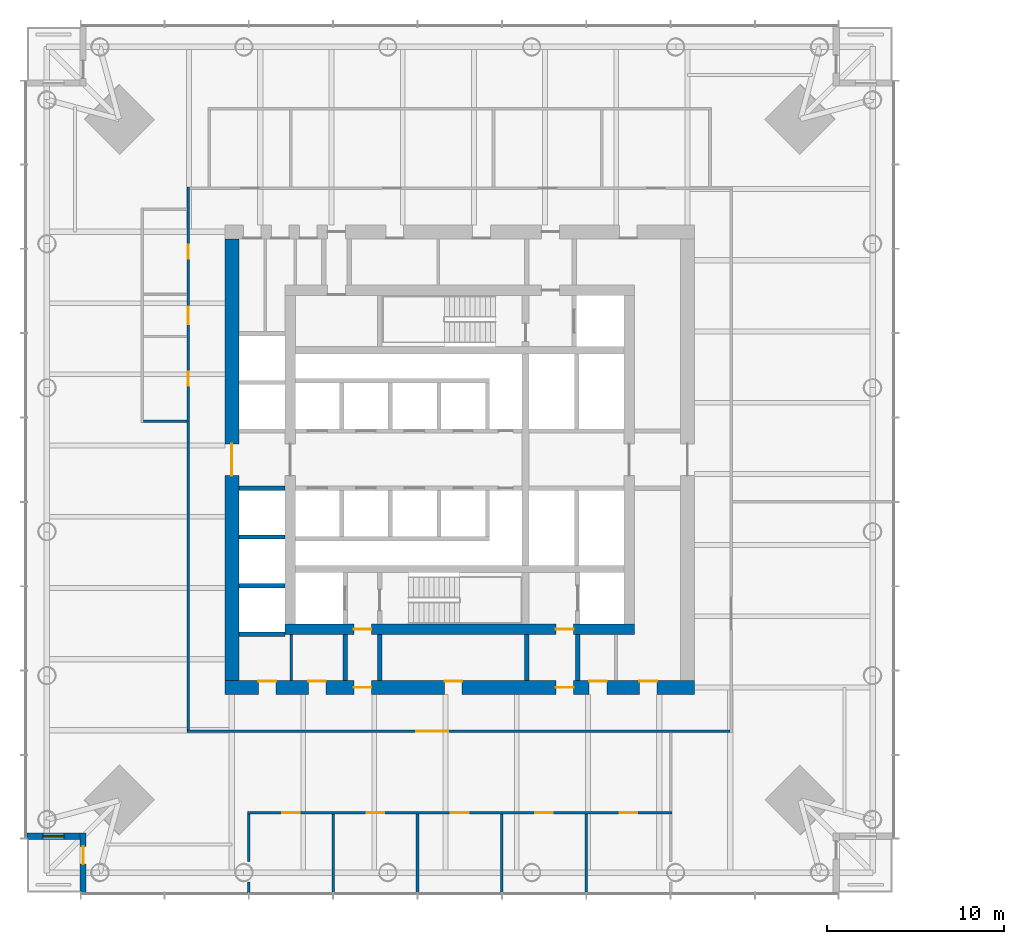
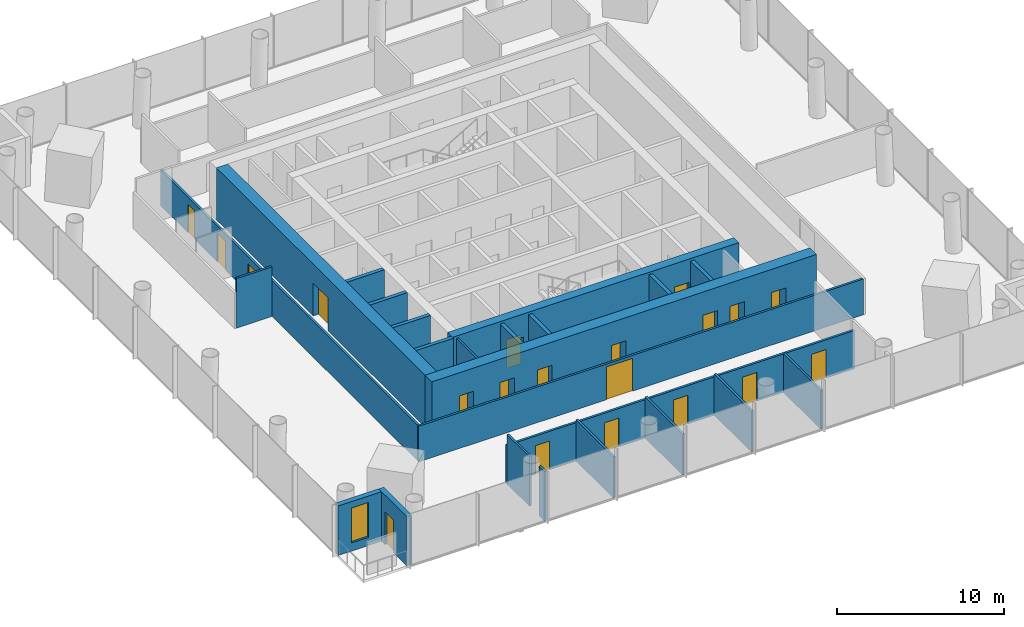
# One storey, part 10 of 22: 24 walls, 20 doors, 1 window, 21 openings.
"""IFC4 building model written with IfcOpenShell, lengths in metres."""

import ifcopenshell
import ifcopenshell.guid

model = None  # the IFC model being written
_history = None  # IfcOwnerHistory: only IFC2X3 demands one
_inside = {}  # id of a spatial element -> (the spatial element, [elements in it])
_under = {}  # id of a project, library or spatial element -> (it, [spatial elements below it])
_declared = {}  # id of a project -> (the project, [libraries it declares])
_typed = {}  # id of a type object -> (the type object, [elements of that type])
_made_of = {}  # id of a material, layer set ... -> (it, [elements and type objects made of it])


def new_model(schema):
    """Start an empty IFC model of exactly this schema.

    Asked for "IFC4X3", IfcOpenShell would pick the latest addendum, in which some entities
    have other attributes; the version numbers below select the first issue.
    IFC2X3 requires an IfcOwnerHistory on every rooted entity: one is made here for all.
    """
    global model, _history
    if schema == "IFC4X3":
        model = ifcopenshell.file(schema_version=(4, 3, 0, 0))
    else:
        model = ifcopenshell.file(schema=schema)
    _inside.clear()
    _under.clear()
    _declared.clear()
    _typed.clear()
    _made_of.clear()
    _history = None
    if model.schema == "IFC2X3":
        org = make("IfcOrganization", Name="unknown")
        user = make(
            "IfcPersonAndOrganization",
            ThePerson=make("IfcPerson", FamilyName="unknown"),
            TheOrganization=org,
        )
        app = make(
            "IfcApplication",
            ApplicationDeveloper=org,
            Version="unknown",
            ApplicationFullName="unknown",
            ApplicationIdentifier="unknown",
        )
        _history = make(
            "IfcOwnerHistory",
            OwningUser=user,
            OwningApplication=app,
            ChangeAction="ADDED",
            CreationDate=0,
        )
    return model


def make(cls, **values):
    """One entity of the class cls with the attributes given. An attribute that is None is left unset."""
    return model.create_entity(
        cls, **{name: value for name, value in values.items() if value is not None}
    )


def rooted(cls, **values):
    """An entity with a GlobalId (a new one), such as an element, a storey or a relation."""
    return make(cls, GlobalId=ifcopenshell.guid.new(), OwnerHistory=_history, **values)


def si_unit(unit_type, name, prefix=None):
    """IfcSIUnit, for example si_unit("LENGTHUNIT", "METRE", prefix="MILLI")."""
    return make("IfcSIUnit", UnitType=unit_type, Prefix=prefix, Name=name)


def assignment(units):
    """IfcUnitAssignment: the units of a project."""
    return None if units is None else make("IfcUnitAssignment", Units=units)


def point(xyz):
    """IfcCartesianPoint."""
    return None if xyz is None else make("IfcCartesianPoint", Coordinates=xyz)


def direction(xyz):
    """IfcDirection."""
    return None if xyz is None else make("IfcDirection", DirectionRatios=xyz)


def frame(location, z_axis=None, x_axis=None):
    """IfcAxis2Placement3D, a coordinate frame: its origin and axes. An axis left out is left unset."""
    return make(
        "IfcAxis2Placement3D",
        Location=point(location),
        Axis=direction(z_axis),
        RefDirection=direction(x_axis),
    )


def frame_2d(location, x_axis=None):
    """IfcAxis2Placement2D, a coordinate frame in the plane: its origin and x axis."""
    return make(
        "IfcAxis2Placement2D", Location=point(location), RefDirection=direction(x_axis)
    )


def origin():
    """The frame at (0, 0, 0) with its axes left unset."""
    return frame((0.0, 0.0, 0.0))


def place(relative_to, where):
    """IfcLocalPlacement: puts the frame where relative to a parent placement (None: the world)."""
    return make(
        "IfcLocalPlacement", PlacementRelTo=relative_to, RelativePlacement=where
    )


def context(
    kind, dimensions, precision=None, world=None, true_north=None, identifier=None
):
    """IfcGeometricRepresentationContext, for example the 3D "Model" context."""
    return make(
        "IfcGeometricRepresentationContext",
        ContextIdentifier=identifier,
        ContextType=kind,
        CoordinateSpaceDimension=dimensions,
        Precision=precision,
        WorldCoordinateSystem=world,
        TrueNorth=true_north,
    )


def subcontext(parent, identifier, kind, view, scale=None):
    """IfcGeometricRepresentationSubContext, for example "Body" below "Model"."""
    return make(
        "IfcGeometricRepresentationSubContext",
        ContextIdentifier=identifier,
        ContextType=kind,
        ParentContext=parent,
        TargetScale=scale,
        TargetView=view,
    )


def project(units=None, contexts=None):
    """IfcProject with its units and contexts."""
    return rooted(
        "IfcProject",
        Name="project",
        RepresentationContexts=contexts,
        UnitsInContext=assignment(units),
    )


def spatial(cls, under=None, at=None, **own):
    """A site, building, storey or space (cls), placed at a placement, below another one or the project."""
    s = rooted(cls, ObjectPlacement=at, **own)
    if under is not None:
        _under.setdefault(under.id(), (under, []))[1].append(s)
    return s


def profile(cls, at=None, kind="AREA", **sizes):
    """A parametric profile (cls). Its sizes go by their IFC names, for example OverallWidth=200.0."""
    return make(cls, ProfileType=kind, Position=at, **sizes)


def rectangle(**sizes):
    """IfcRectangleProfileDef."""
    return profile("IfcRectangleProfileDef", **sizes)


def extrude(swept, where, along, depth):
    """IfcExtrudedAreaSolid: the profile swept, set in the frame where, extruded along a direction by depth."""
    return make(
        "IfcExtrudedAreaSolid",
        SweptArea=swept,
        Position=where,
        ExtrudedDirection=direction(along),
        Depth=depth,
    )


def shape(context_of_items, identifier, shape_type, items):
    """IfcShapeRepresentation: the items that make up one representation, for example the "Body"."""
    return make(
        "IfcShapeRepresentation",
        ContextOfItems=context_of_items,
        RepresentationIdentifier=identifier,
        RepresentationType=shape_type,
        Items=items,
    )


def material(Name=None, Category=None):
    """IfcMaterial."""
    return make("IfcMaterial", Name=Name, Category=Category)


def layer(
    of_material, thickness, ventilated=None, Name=None, Category=None, Priority=None
):
    """IfcMaterialLayer: one layer of a wall or slab, of a material (None: an air gap)."""
    return make(
        "IfcMaterialLayer",
        Material=of_material,
        LayerThickness=thickness,
        IsVentilated=ventilated,
        Name=Name,
        Category=Category,
        Priority=Priority,
    )


def layer_set(layers, Name=None):
    """IfcMaterialLayerSet."""
    return make("IfcMaterialLayerSet", MaterialLayers=layers, LayerSetName=Name)


def made_of(thing, what):
    """Note that an element or type object is made of a material, layer set ...; save() writes the relation."""
    if what is not None:
        _made_of.setdefault(what.id(), (what, []))[1].append(thing)
    return thing


def type_object(cls, material=None, **own):
    """A type object (cls), such as IfcWallType, which elements share."""
    return made_of(rooted(cls, **own), material)


def element(
    cls,
    number,
    at=None,
    inside=None,
    cuts=None,
    type_object=None,
    material=None,
    context=None,
    identifier="Body",
    shape_type=None,
    held_by="IfcProductDefinitionShape",
    body=None,
    shapes=None,
    **own,
):
    """One element of the class cls, such as IfcWall. Its Tag is "e" and its number.

    at: its placement. inside: the storey or other place that contains it. cuts: it is an
    opening in that element (IfcRelVoidsElement). A single representation is given by context,
    identifier, shape_type and body (its items); several are given by shapes. held_by: the class
    of the entity that holds the representations. save() writes the other relations.
    """
    e = rooted(cls, Tag="e%d" % number, ObjectPlacement=at, **own)
    if body is not None:
        shapes = [shape(context, identifier, shape_type, body)]
    if shapes is not None:
        e.Representation = make(held_by, Representations=shapes)
    if inside is not None:
        _inside.setdefault(inside.id(), (inside, []))[1].append(e)
    if cuts is not None:
        rooted(
            "IfcRelVoidsElement", RelatingBuildingElement=cuts, RelatedOpeningElement=e
        )
    if type_object is not None:
        _typed.setdefault(type_object.id(), (type_object, []))[1].append(e)
    return made_of(e, material)


def fill(opening, filler):
    """IfcRelFillsElement: the door or window that sits in an opening."""
    return rooted(
        "IfcRelFillsElement",
        RelatingOpeningElement=opening,
        RelatedBuildingElement=filler,
    )


def aggregate(whole, parts):
    """IfcRelAggregates: a whole, such as a stair, and the parts it consists of."""
    return rooted("IfcRelAggregates", RelatingObject=whole, RelatedObjects=parts)


def save(model, path):
    """Write the relations noted so far, then the file.

    IfcRelAggregates (storeys below a building ...), IfcRelContainedInSpatialStructure (elements
    in a storey), IfcRelDefinesByType, IfcRelAssociatesMaterial and IfcRelDeclares: one each for
    every whole, place, type object, material and project.
    """
    for whole, parts in _under.values():
        aggregate(whole, parts)
    for where, things in _inside.values():
        rooted(
            "IfcRelContainedInSpatialStructure",
            RelatedElements=things,
            RelatingStructure=where,
        )
    for kind, things in _typed.values():
        rooted("IfcRelDefinesByType", RelatedObjects=things, RelatingType=kind)
    for what, things in _made_of.values():
        rooted("IfcRelAssociatesMaterial", RelatedObjects=things, RelatingMaterial=what)
    for by, libraries in _declared.values():
        rooted("IfcRelDeclares", RelatingContext=by, RelatedDefinitions=libraries)
    model.write(path)


model = new_model("IFC4")

# Units and contexts
model_context = context("Model", 3, precision=1e-05, world=origin(), true_north=direction((0.0, 1.0)))
body_context = subcontext(model_context, "Body", "Model", "MODEL_VIEW")
ifc_project = project(units=[si_unit("LENGTHUNIT", "METRE"), si_unit("AREAUNIT", "SQUARE_METRE"), si_unit("VOLUMEUNIT", "CUBIC_METRE"), si_unit("PLANEANGLEUNIT", "RADIAN"), si_unit("MASSUNIT", "GRAM", prefix="KILO")], contexts=[model_context])

# Site, building, storey
site_placement = place(None, origin())
site = spatial("IfcSite", under=ifc_project, at=site_placement, CompositionType="ELEMENT")
building_placement = place(site_placement, origin())
building = spatial("IfcBuilding", under=site, at=building_placement, Name="Ostroluk Exchange", CompositionType="ELEMENT")
storey_placement = place(building_placement, frame((0.0, 0.0, 40.0)))
storey = spatial("IfcBuildingStorey", under=building, at=storey_placement, Name="L09", CompositionType="ELEMENT", Elevation=40.0)

# Walls
ifc_material_1 = material(Name="Concrete blockwork", Category="masonry")
ifc_layer_1 = layer(ifc_material_1, 0.14990234375)
ifc_layer_set_1 = layer_set([ifc_layer_1], Name="Blockwork plant room wall 150")
wall_type_1 = type_object("IfcWallType", Name="Blockwork plant room wall 150", PredefinedType="SOLIDWALL", material=ifc_layer_set_1)
wall_1_placement = place(storey_placement, frame((35.449951171875, 33.5, 0.0), z_axis=(0.0, 0.0, 1.0), x_axis=(0.0, 1.0, 0.0)))
element("IfcWall", 1, at=wall_1_placement, inside=storey, type_object=wall_type_1, Name="Core room wall", PredefinedType="SOLIDWALL", context=body_context, shape_type="SweptSolid", body=[
    extrude(rectangle(XDim=2.60009765625, YDim=0.14990234375, at=frame_2d((1.300048828125, 0.0))), origin(), (0.0, 0.0, 1.0), 3.6201171875),
])
ifc_material_2 = material(Name="Concrete blockwork", Category="masonry")
ifc_layer_2 = layer(ifc_material_2, 0.25)
ifc_layer_set_2 = layer_set([ifc_layer_2], Name="Blockwork stair enclosure wall 250")
wall_type_2 = type_object("IfcWallType", Name="Blockwork stair enclosure wall 250", PredefinedType="SOLIDWALL", material=ifc_layer_set_2)
for number, where, z_axis, x_axis, name in (
    (2, (38.52490234375, 33.5, 0.0), (0.0, 0.0, 1.0), (0.0, 1.0, 0.0), "Fire lobby enclosure wall"),
    (3, (40.47509765625, 33.5, 0.0), (0.0, 0.0, 1.0), (0.0, 1.0, 0.0), "Fire lobby enclosure wall"),
    (4, (48.804931640625, 33.5, 0.0), (0.0, 0.0, 1.0), (0.0, 1.0, 0.0), "Service lobby enclosure wall"),
    (5, (51.675048828125, 33.5, 0.0), (0.0, 0.0, 1.0), (0.0, 1.0, 0.0), "Service lobby enclosure wall"),
):
    element("IfcWall", number, at=place(storey_placement, frame(where, z_axis=z_axis, x_axis=x_axis)), inside=storey, type_object=wall_type_2, Name=name, PredefinedType="SOLIDWALL", context=body_context, shape_type="SweptSolid", body=[
        extrude(rectangle(XDim=2.60009765625, YDim=0.25, at=frame_2d((1.300048828125, 0.0))), origin(), (0.0, 0.0, 1.0), 3.6201171875),
    ])
ifc_material_3 = material(Name="Concrete C40/50", Category="concrete")
ifc_layer_3 = layer(ifc_material_3, 0.25)
ifc_layer_set_3 = layer_set([ifc_layer_3], Name="Core shaft wall 250")
wall_type_3 = type_object("IfcWallType", Name="Core shaft wall 250", PredefinedType="SHEAR", material=ifc_layer_set_3)
for number, where, z_axis, x_axis, name in (
    (6, (32.5, 36.125, 0.0), (0.0, 0.0, 1.0), (1.0, 0.0, 0.0), "Lift shaft wall"),
    (7, (32.5, 38.875, 0.0), (0.0, 0.0, 1.0), (1.0, 0.0, 0.0), "Lift shaft wall"),
    (8, (32.5, 41.625, 0.0), (0.0, 0.0, 1.0), (1.0, 0.0, 0.0), "Lift shaft wall"),
    (9, (32.5, 44.375, 0.0), (0.0, 0.0, 1.0), (1.0, 0.0, 0.0), "Lift shaft wall"),
):
    element("IfcWall", number, at=place(storey_placement, frame(where, z_axis=z_axis, x_axis=x_axis)), inside=storey, type_object=wall_type_3, Name=name, PredefinedType="SHEAR", context=body_context, shape_type="SweptSolid", body=[
        extrude(rectangle(XDim=2.60009765625, YDim=0.25, at=frame_2d((1.300048828125, 0.0))), origin(), (0.0, 0.0, 1.0), 3.800048828125),
    ])

# Wall, openings, doors
ifc_material_4 = material(Name="Concrete C50/60", Category="concrete")
ifc_layer_4 = layer(ifc_material_4, 0.60009765625)
ifc_layer_set_4 = layer_set([ifc_layer_4], Name="Core wall 600 C50/60")
wall_type_4 = type_object("IfcWallType", Name="Core wall 600 C50/60", PredefinedType="SHEAR", material=ifc_layer_set_4)
wall_2_placement = place(storey_placement, frame((35.10009765625, 36.39990234375, 0.0), z_axis=(0.0, 0.0, 1.0), x_axis=(1.0, 0.0, 0.0)))
wall_2 = element("IfcWall", 10, at=wall_2_placement, inside=storey, type_object=wall_type_4, Name="T1 core wall S", PredefinedType="SHEAR", context=body_context, shape_type="SweptSolid", body=[
    extrude(rectangle(XDim=19.7998046875, YDim=0.60009765625, at=frame_2d((9.89990234375, 0.0))), origin(), (0.0, 0.0, 1.0), 3.800048828125),
])
opening_1_placement = place(wall_2_placement, frame((3.89990234375, 0.0, 0.0)))
opening_1 = element("IfcOpeningElement", 11, at=opening_1_placement, cuts=wall_2, Name="Opening FD60", PredefinedType="OPENING", context=body_context, shape_type="SweptSolid", body=[
    extrude(rectangle(XDim=1.0, YDim=2.10009765625, at=frame_2d((0.5, 1.050048828125))), frame((0.0, 0.31005859375, 0.0), z_axis=(0.0, -1.0, 0.0), x_axis=(1.0, 0.0, 0.0)), (0.0, 0.0, 1.0), 0.6201171875),
])
opening_2_placement = place(wall_2_placement, frame((15.35009765625, 0.0, 0.0)))
opening_2 = element("IfcOpeningElement", 12, at=opening_2_placement, cuts=wall_2, Name="Opening FD60", PredefinedType="OPENING", context=body_context, shape_type="SweptSolid", body=[
    extrude(rectangle(XDim=1.0, YDim=2.10009765625, at=frame_2d((0.5, 1.050048828125))), frame((0.0, 0.31005859375, 0.0), z_axis=(0.0, -1.0, 0.0), x_axis=(1.0, 0.0, 0.0)), (0.0, 0.0, 1.0), 0.6201171875),
])
ifc_material_5 = material(Name="Steel", Category="steel")
door_type_1 = type_object("IfcDoorType", Name="Fire door EI 60 1000 x 2100", OperationType="SINGLE_SWING_LEFT", PredefinedType="DOOR", material=ifc_material_5)
door_1_placement = place(opening_1_placement, origin())
door_1 = element("IfcDoor", 13, at=door_1_placement, inside=storey, type_object=door_type_1, Name="Firefighting lobby door", OperationType="SINGLE_SWING_LEFT", OverallHeight=2.10009765625, OverallWidth=1.0, PredefinedType="DOOR", context=body_context, shape_type="SweptSolid", body=[
    extrude(rectangle(XDim=1.0, YDim=2.10009765625, at=frame_2d((0.5, 1.050048828125))), frame((0.0, 0.02490234375, 0.0), z_axis=(0.0, -1.0, 0.0), x_axis=(1.0, 0.0, 0.0)), (0.0, 0.0, 1.0), 0.050048828125),
])
fill(opening_1, door_1)
door_2_placement = place(opening_2_placement, origin())
door_2 = element("IfcDoor", 14, at=door_2_placement, inside=storey, type_object=door_type_1, Name="Service lobby door", OperationType="SINGLE_SWING_RIGHT", OverallHeight=2.10009765625, OverallWidth=1.0, PredefinedType="DOOR", context=body_context, shape_type="SweptSolid", body=[
    extrude(rectangle(XDim=1.0, YDim=2.10009765625, at=frame_2d((0.5, 1.050048828125))), frame((0.0, 0.02490234375, 0.0), z_axis=(0.0, -1.0, 0.0), x_axis=(1.0, 0.0, 0.0)), (0.0, 0.0, 1.0), 0.050048828125),
])
fill(opening_2, door_2)

ifc_material_6 = material(Name="Concrete C50/60", Category="concrete")
ifc_layer_5 = layer(ifc_material_6, 0.800048828125)
ifc_layer_set_5 = layer_set([ifc_layer_5], Name="Core wall 800 C50/60")
wall_type_5 = type_object("IfcWallType", Name="Core wall 800 C50/60", PredefinedType="SHEAR", material=ifc_layer_set_5)
wall_3_placement = place(storey_placement, frame((31.699951171875, 33.10009765625, 0.0), z_axis=(0.0, 0.0, 1.0), x_axis=(1.0, 0.0, 0.0)))
wall_3 = element("IfcWall", 15, at=wall_3_placement, inside=storey, type_object=wall_type_5, Name="T1 core wall RS", PredefinedType="SHEAR", context=body_context, shape_type="SweptSolid", body=[
    extrude(rectangle(XDim=26.60009765625, YDim=0.800048828125, at=frame_2d((13.300048828125, 0.0))), origin(), (0.0, 0.0, 1.0), 3.800048828125),
])
opening_3_placement = place(wall_3_placement, frame((7.300048828125, 0.0, 0.0)))
opening_3 = element("IfcOpeningElement", 16, at=opening_3_placement, cuts=wall_3, Name="Opening FD60", PredefinedType="OPENING", context=body_context, shape_type="SweptSolid", body=[
    extrude(rectangle(XDim=1.0, YDim=2.10009765625, at=frame_2d((0.5, 1.050048828125))), frame((0.0, 0.409912109375, 0.0), z_axis=(0.0, -1.0, 0.0), x_axis=(1.0, 0.0, 0.0)), (0.0, 0.0, 1.0), 0.820068359375),
])
opening_4_placement = place(wall_3_placement, frame((18.75, 0.0, 0.0)))
opening_4 = element("IfcOpeningElement", 17, at=opening_4_placement, cuts=wall_3, Name="Opening FD60", PredefinedType="OPENING", context=body_context, shape_type="SweptSolid", body=[
    extrude(rectangle(XDim=1.0, YDim=2.10009765625, at=frame_2d((0.5, 1.050048828125))), frame((0.0, 0.409912109375, 0.0), z_axis=(0.0, -1.0, 0.0), x_axis=(1.0, 0.0, 0.0)), (0.0, 0.0, 1.0), 0.820068359375),
])
opening_5_placement = place(wall_3_placement, frame((1.89990234375, 0.0, 0.0)))
opening_5 = element("IfcOpeningElement", 18, at=opening_5_placement, cuts=wall_3, Name="Opening FD60", PredefinedType="OPENING", context=body_context, shape_type="SweptSolid", body=[
    extrude(rectangle(XDim=1.0, YDim=2.10009765625, at=frame_2d((0.5, 1.050048828125))), frame((0.0, 0.409912109375, 0.0), z_axis=(0.0, -1.0, 0.0), x_axis=(1.0, 0.0, 0.0)), (0.0, 0.0, 1.0), 0.820068359375),
])
opening_6_placement = place(wall_3_placement, frame((4.72509765625, 0.0, 0.0)))
opening_6 = element("IfcOpeningElement", 19, at=opening_6_placement, cuts=wall_3, Name="Opening FD60", PredefinedType="OPENING", context=body_context, shape_type="SweptSolid", body=[
    extrude(rectangle(XDim=1.0, YDim=2.10009765625, at=frame_2d((0.5, 1.050048828125))), frame((0.0, 0.409912109375, 0.0), z_axis=(0.0, -1.0, 0.0), x_axis=(1.0, 0.0, 0.0)), (0.0, 0.0, 1.0), 0.820068359375),
])
opening_7_placement = place(wall_3_placement, frame((12.43994140625, 0.0, 0.0)))
opening_7 = element("IfcOpeningElement", 20, at=opening_7_placement, cuts=wall_3, Name="Opening FD60", PredefinedType="OPENING", context=body_context, shape_type="SweptSolid", body=[
    extrude(rectangle(XDim=1.0, YDim=2.10009765625, at=frame_2d((0.5, 1.050048828125))), frame((0.0, 0.409912109375, 0.0), z_axis=(0.0, -1.0, 0.0), x_axis=(1.0, 0.0, 0.0)), (0.0, 0.0, 1.0), 0.820068359375),
])
opening_8_placement = place(wall_3_placement, frame((20.6259765625, 0.0, 0.0)))
opening_8 = element("IfcOpeningElement", 21, at=opening_8_placement, cuts=wall_3, Name="Opening FD60", PredefinedType="OPENING", context=body_context, shape_type="SweptSolid", body=[
    extrude(rectangle(XDim=1.0, YDim=2.10009765625, at=frame_2d((0.5, 1.050048828125))), frame((0.0, 0.409912109375, 0.0), z_axis=(0.0, -1.0, 0.0), x_axis=(1.0, 0.0, 0.0)), (0.0, 0.0, 1.0), 0.820068359375),
])
opening_9_placement = place(wall_3_placement, frame((23.47607421875, 0.0, 0.0)))
opening_9 = element("IfcOpeningElement", 22, at=opening_9_placement, cuts=wall_3, Name="Opening FD60", PredefinedType="OPENING", context=body_context, shape_type="SweptSolid", body=[
    extrude(rectangle(XDim=1.0, YDim=2.10009765625, at=frame_2d((0.5, 1.050048828125))), frame((0.0, 0.409912109375, 0.0), z_axis=(0.0, -1.0, 0.0), x_axis=(1.0, 0.0, 0.0)), (0.0, 0.0, 1.0), 0.820068359375),
])
door_3_placement = place(opening_3_placement, origin())
door_3 = element("IfcDoor", 23, at=door_3_placement, inside=storey, type_object=door_type_1, Name="Firefighting lobby door", OperationType="SINGLE_SWING_LEFT", OverallHeight=2.10009765625, OverallWidth=1.0, PredefinedType="DOOR", context=body_context, shape_type="SweptSolid", body=[
    extrude(rectangle(XDim=1.0, YDim=2.10009765625, at=frame_2d((0.5, 1.050048828125))), frame((0.0, 0.02490234375, 0.0), z_axis=(0.0, -1.0, 0.0), x_axis=(1.0, 0.0, 0.0)), (0.0, 0.0, 1.0), 0.050048828125),
])
fill(opening_3, door_3)
door_4_placement = place(opening_4_placement, origin())
door_4 = element("IfcDoor", 24, at=door_4_placement, inside=storey, type_object=door_type_1, Name="Service lobby door", OperationType="SINGLE_SWING_RIGHT", OverallHeight=2.10009765625, OverallWidth=1.0, PredefinedType="DOOR", context=body_context, shape_type="SweptSolid", body=[
    extrude(rectangle(XDim=1.0, YDim=2.10009765625, at=frame_2d((0.5, 1.050048828125))), frame((0.0, 0.02490234375, 0.0), z_axis=(0.0, -1.0, 0.0), x_axis=(1.0, 0.0, 0.0)), (0.0, 0.0, 1.0), 0.050048828125),
])
fill(opening_4, door_4)
door_5_placement = place(opening_5_placement, origin())
door_5 = element("IfcDoor", 25, at=door_5_placement, inside=storey, type_object=door_type_1, Name="Archive door", OperationType="SINGLE_SWING_LEFT", OverallHeight=2.10009765625, OverallWidth=1.0, PredefinedType="DOOR", context=body_context, shape_type="SweptSolid", body=[
    extrude(rectangle(XDim=1.0, YDim=2.10009765625, at=frame_2d((0.5, 1.050048828125))), frame((0.0, 0.39013671875, 0.0), z_axis=(0.0, -1.0, 0.0), x_axis=(1.0, 0.0, 0.0)), (0.0, 0.0, 1.0), 0.050048828125),
])
fill(opening_5, door_5)
door_6_placement = place(opening_6_placement, origin())
door_6 = element("IfcDoor", 26, at=door_6_placement, inside=storey, type_object=door_type_1, Name="Tenant IT room door", OperationType="SINGLE_SWING_LEFT", OverallHeight=2.10009765625, OverallWidth=1.0, PredefinedType="DOOR", context=body_context, shape_type="SweptSolid", body=[
    extrude(rectangle(XDim=1.0, YDim=2.10009765625, at=frame_2d((0.5, 1.050048828125))), frame((0.0, 0.39013671875, 0.0), z_axis=(0.0, -1.0, 0.0), x_axis=(1.0, 0.0, 0.0)), (0.0, 0.0, 1.0), 0.050048828125),
])
fill(opening_6, door_6)
door_7_placement = place(opening_7_placement, origin())
door_7 = element("IfcDoor", 27, at=door_7_placement, inside=storey, type_object=door_type_1, Name="Tea point door", OperationType="SINGLE_SWING_LEFT", OverallHeight=2.10009765625, OverallWidth=1.0, PredefinedType="DOOR", context=body_context, shape_type="SweptSolid", body=[
    extrude(rectangle(XDim=1.0, YDim=2.10009765625, at=frame_2d((0.5, 1.050048828125))), frame((0.0, 0.39013671875, 0.0), z_axis=(0.0, -1.0, 0.0), x_axis=(1.0, 0.0, 0.0)), (0.0, 0.0, 1.0), 0.050048828125),
])
fill(opening_7, door_7)
door_8_placement = place(opening_8_placement, origin())
door_8 = element("IfcDoor", 28, at=door_8_placement, inside=storey, type_object=door_type_1, Name="Cleaner's store door", OperationType="SINGLE_SWING_RIGHT", OverallHeight=2.10009765625, OverallWidth=1.0, PredefinedType="DOOR", context=body_context, shape_type="SweptSolid", body=[
    extrude(rectangle(XDim=1.0, YDim=2.10009765625, at=frame_2d((0.5, 1.050048828125))), frame((0.0, 0.39013671875, 0.0), z_axis=(0.0, -1.0, 0.0), x_axis=(1.0, 0.0, 0.0)), (0.0, 0.0, 1.0), 0.050048828125),
])
fill(opening_8, door_8)
door_9_placement = place(opening_9_placement, origin())
door_9 = element("IfcDoor", 29, at=door_9_placement, inside=storey, type_object=door_type_1, Name="First aid room door", OperationType="SINGLE_SWING_RIGHT", OverallHeight=2.10009765625, OverallWidth=1.0, PredefinedType="DOOR", context=body_context, shape_type="SweptSolid", body=[
    extrude(rectangle(XDim=1.0, YDim=2.10009765625, at=frame_2d((0.5, 1.050048828125))), frame((0.0, 0.39013671875, 0.0), z_axis=(0.0, -1.0, 0.0), x_axis=(1.0, 0.0, 0.0)), (0.0, 0.0, 1.0), 0.050048828125),
])
fill(opening_9, door_9)

# Wall, opening, door
wall_4_placement = place(storey_placement, frame((32.10009765625, 33.5, 0.0), z_axis=(0.0, 0.0, 1.0), x_axis=(0.0, 1.0, 0.0)))
wall_4 = element("IfcWall", 30, at=wall_4_placement, inside=storey, type_object=wall_type_5, Name="T1 core wall RW", PredefinedType="SHEAR", context=body_context, shape_type="SweptSolid", body=[
    extrude(rectangle(XDim=25.0, YDim=0.800048828125, at=frame_2d((12.5, 0.0))), origin(), (0.0, 0.0, 1.0), 3.800048828125),
])
opening_10_placement = place(wall_4_placement, frame((11.60009765625, 0.0, 0.0)))
opening_10 = element("IfcOpeningElement", 31, at=opening_10_placement, cuts=wall_4, Name="Opening FD30D", PredefinedType="OPENING", context=body_context, shape_type="SweptSolid", body=[
    extrude(rectangle(XDim=1.800048828125, YDim=2.39990234375, at=frame_2d((0.89990234375, 1.199951171875))), frame((0.0, 0.409912109375, 0.0), z_axis=(0.0, -1.0, 0.0), x_axis=(1.0, 0.0, 0.0)), (0.0, 0.0, 1.0), 0.820068359375),
])
ifc_material_7 = material(Name="Timber", Category="wood")
door_type_2 = type_object("IfcDoorType", Name="Lobby double door EI 30 1800 x 2400", OperationType="DOUBLE_DOOR_SINGLE_SWING", PredefinedType="DOOR", material=ifc_material_7)
door_10_placement = place(opening_10_placement, origin())
door_10 = element("IfcDoor", 32, at=door_10_placement, inside=storey, type_object=door_type_2, Name="Lift lobby doors", OperationType="DOUBLE_DOOR_SINGLE_SWING", OverallHeight=2.39990234375, OverallWidth=1.800048828125, PredefinedType="DOOR", context=body_context, shape_type="SweptSolid", body=[
    extrude(rectangle(XDim=1.800048828125, YDim=2.39990234375, at=frame_2d((0.89990234375, 1.199951171875))), frame((0.0, 0.02490234375, 0.0), z_axis=(0.0, -1.0, 0.0), x_axis=(1.0, 0.0, 0.0)), (0.0, 0.0, 1.0), 0.050048828125),
])
fill(opening_10, door_10)

ifc_material_8 = material(Name="Limestone", Category="masonry")
ifc_layer_6 = layer(ifc_material_8, 0.35009765625)
ifc_layer_set_6 = layer_set([ifc_layer_6], Name="Limestone facade wall 350")
wall_type_6 = type_object("IfcWallType", Name="Limestone facade wall 350", PredefinedType="SOLIDWALL", material=ifc_layer_set_6)
wall_5_placement = place(storey_placement, frame((23.675048828125, 21.5, 0.0), z_axis=(0.0, 0.0, 1.0), x_axis=(0.0, 1.0, 0.0)))
wall_5 = element("IfcWall", 33, at=wall_5_placement, inside=storey, type_object=wall_type_6, Name="Office tower SW corner wall L09 a", PredefinedType="SOLIDWALL", context=body_context, shape_type="SweptSolid", body=[
    extrude(rectangle(XDim=3.35009765625, YDim=0.35009765625, at=frame_2d((1.675048828125, 0.0))), origin(), (0.0, 0.0, 1.0), 3.6201171875),
])
opening_11_placement = place(wall_5_placement, frame((1.60009765625, 0.0, 0.0)))
opening_11 = element("IfcOpeningElement", 34, at=opening_11_placement, cuts=wall_5, Name="Opening D-B1", PredefinedType="OPENING", context=body_context, shape_type="SweptSolid", body=[
    extrude(rectangle(XDim=1.0, YDim=2.39990234375, at=frame_2d((0.5, 1.199951171875))), frame((0.0, 0.18505859375, 0.0), z_axis=(0.0, -1.0, 0.0), x_axis=(1.0, 0.0, 0.0)), (0.0, 0.0, 1.0), 0.3701171875),
])
ifc_material_9 = material(Name="Bronze framed glazed door", Category="aluminium")
door_type_3 = type_object("IfcDoorType", Name="Balcony door 1000 x 2400", OperationType="SINGLE_SWING_LEFT", PredefinedType="DOOR", material=ifc_material_9)
door_11_placement = place(opening_11_placement, origin())
door_11 = element("IfcDoor", 35, at=door_11_placement, inside=storey, type_object=door_type_3, Name="Office tower SW balcony door L09", OperationType="SINGLE_SWING_RIGHT", OverallHeight=2.39990234375, OverallWidth=1.0, PredefinedType="DOOR", context=body_context, shape_type="SweptSolid", body=[
    extrude(rectangle(XDim=1.0, YDim=2.39990234375, at=frame_2d((0.5, 1.199951171875))), frame((0.0, 0.02490234375, 0.0), z_axis=(0.0, -1.0, 0.0), x_axis=(1.0, 0.0, 0.0)), (0.0, 0.0, 1.0), 0.050048828125),
])
fill(opening_11, door_11)

# Wall, opening, window
wall_6_placement = place(storey_placement, frame((23.5, 24.675048828125, 0.0), z_axis=(0.0, 0.0, 1.0), x_axis=(-1.0, 0.0, 0.0)))
wall_6 = element("IfcWall", 36, at=wall_6_placement, inside=storey, type_object=wall_type_6, Name="Office tower SW corner wall L09 b", PredefinedType="SOLIDWALL", context=body_context, shape_type="SweptSolid", body=[
    extrude(rectangle(XDim=3.0, YDim=0.35009765625, at=frame_2d((1.5, 0.0))), origin(), (0.0, 0.0, 1.0), 3.6201171875),
])
opening_12_placement = place(wall_6_placement, frame((0.89990234375, 0.0, 0.60009765625)))
opening_12 = element("IfcOpeningElement", 37, at=opening_12_placement, cuts=wall_6, Name="Opening WN-L1", PredefinedType="OPENING", context=body_context, shape_type="SweptSolid", body=[
    extrude(rectangle(XDim=1.199951171875, YDim=2.550048828125, at=frame_2d((0.60009765625, 1.27490234375))), frame((0.0, 0.18505859375, 0.0), z_axis=(0.0, -1.0, 0.0), x_axis=(1.0, 0.0, 0.0)), (0.0, 0.0, 1.0), 0.3701171875),
])
ifc_material_10 = material(Name="Laminated clear glass", Category="glass")
window_type = type_object("IfcWindowType", Name="Lancet window 1200 x 2550", PartitioningType="SINGLE_PANEL", PredefinedType="WINDOW", material=ifc_material_10)
window_placement = place(opening_12_placement, origin())
window = element("IfcWindow", 38, at=window_placement, inside=storey, type_object=window_type, Name="Office tower SW lancet window L09", OverallHeight=2.550048828125, OverallWidth=1.199951171875, PartitioningType="SINGLE_PANEL", PredefinedType="WINDOW", context=body_context, shape_type="SweptSolid", body=[
    extrude(rectangle(XDim=1.199951171875, YDim=2.550048828125, at=frame_2d((0.60009765625, 1.27490234375))), frame((0.0, 0.030029296875, 0.0), z_axis=(0.0, -1.0, 0.0), x_axis=(1.0, 0.0, 0.0)), (0.0, 0.0, 1.0), 0.06005859375),
])
fill(opening_12, window)

# Wall, openings, doors
ifc_material_11 = material(Name="Gypsum plasterboard partition", Category="gypsum")
ifc_layer_7 = layer(ifc_material_11, 0.14990234375)
ifc_layer_set_7 = layer_set([ifc_layer_7], Name="Plasterboard partition 150")
wall_type_7 = type_object("IfcWallType", Name="Plasterboard partition 150", PredefinedType="PARTITIONING", material=ifc_layer_set_7)
wall_7_placement = place(storey_placement, frame((32.98046875, 26.0, 0.0), z_axis=(0.0, 0.0, 1.0), x_axis=(1.0, 0.0, 0.0)))
wall_7 = element("IfcWall", 39, at=wall_7_placement, inside=storey, type_object=wall_type_7, Name="Partition", PredefinedType="PARTITIONING", context=body_context, shape_type="SweptSolid", body=[
    extrude(rectangle(XDim=24.0390625, YDim=0.14990234375, at=frame_2d((12.01953125, 0.0))), origin(), (0.0, 0.0, 1.0), 2.805908203125),
])
opening_13_placement = place(wall_7_placement, frame((1.9638671875, 0.0, 0.0)))
opening_13 = element("IfcOpeningElement", 40, at=opening_13_placement, cuts=wall_7, Name="Opening D-03", PredefinedType="OPENING", context=body_context, shape_type="SweptSolid", body=[
    extrude(rectangle(XDim=1.0, YDim=2.10009765625, at=frame_2d((0.5, 1.050048828125))), frame((0.0, 0.0849609375, 0.0), z_axis=(0.0, -1.0, 0.0), x_axis=(1.0, 0.0, 0.0)), (0.0, 0.0, 1.0), 0.169921875),
])
opening_14_placement = place(wall_7_placement, frame((6.74169921875, 0.0, 0.0)))
opening_14 = element("IfcOpeningElement", 41, at=opening_14_placement, cuts=wall_7, Name="Opening D-03", PredefinedType="OPENING", context=body_context, shape_type="SweptSolid", body=[
    extrude(rectangle(XDim=1.0, YDim=2.10009765625, at=frame_2d((0.5, 1.050048828125))), frame((0.0, 0.0849609375, 0.0), z_axis=(0.0, -1.0, 0.0), x_axis=(1.0, 0.0, 0.0)), (0.0, 0.0, 1.0), 0.169921875),
])
opening_15_placement = place(wall_7_placement, frame((11.51953125, 0.0, 0.0)))
opening_15 = element("IfcOpeningElement", 42, at=opening_15_placement, cuts=wall_7, Name="Opening D-03", PredefinedType="OPENING", context=body_context, shape_type="SweptSolid", body=[
    extrude(rectangle(XDim=1.0, YDim=2.10009765625, at=frame_2d((0.5, 1.050048828125))), frame((0.0, 0.0849609375, 0.0), z_axis=(0.0, -1.0, 0.0), x_axis=(1.0, 0.0, 0.0)), (0.0, 0.0, 1.0), 0.169921875),
])
opening_16_placement = place(wall_7_placement, frame((16.297119140625, 0.0, 0.0)))
opening_16 = element("IfcOpeningElement", 43, at=opening_16_placement, cuts=wall_7, Name="Opening D-03", PredefinedType="OPENING", context=body_context, shape_type="SweptSolid", body=[
    extrude(rectangle(XDim=1.0, YDim=2.10009765625, at=frame_2d((0.5, 1.050048828125))), frame((0.0, 0.0849609375, 0.0), z_axis=(0.0, -1.0, 0.0), x_axis=(1.0, 0.0, 0.0)), (0.0, 0.0, 1.0), 0.169921875),
])
opening_17_placement = place(wall_7_placement, frame((21.074951171875, 0.0, 0.0)))
opening_17 = element("IfcOpeningElement", 44, at=opening_17_placement, cuts=wall_7, Name="Opening D-03", PredefinedType="OPENING", context=body_context, shape_type="SweptSolid", body=[
    extrude(rectangle(XDim=1.0, YDim=2.10009765625, at=frame_2d((0.5, 1.050048828125))), frame((0.0, 0.0849609375, 0.0), z_axis=(0.0, -1.0, 0.0), x_axis=(1.0, 0.0, 0.0)), (0.0, 0.0, 1.0), 0.169921875),
])
ifc_material_12 = material(Name="Timber", Category="wood")
door_type_4 = type_object("IfcDoorType", Name="Internal door 1000 x 2100", OperationType="SINGLE_SWING_LEFT", PredefinedType="DOOR", material=ifc_material_12)
door_12_placement = place(opening_13_placement, origin())
door_12 = element("IfcDoor", 45, at=door_12_placement, inside=storey, type_object=door_type_4, Name="Office door", OperationType="SINGLE_SWING_LEFT", OverallHeight=2.10009765625, OverallWidth=1.0, PredefinedType="DOOR", context=body_context, shape_type="SweptSolid", body=[
    extrude(rectangle(XDim=1.0, YDim=2.10009765625, at=frame_2d((0.5, 1.050048828125))), frame((0.0, 0.02490234375, 0.0), z_axis=(0.0, -1.0, 0.0), x_axis=(1.0, 0.0, 0.0)), (0.0, 0.0, 1.0), 0.050048828125),
])
fill(opening_13, door_12)
door_13_placement = place(opening_14_placement, origin())
door_13 = element("IfcDoor", 46, at=door_13_placement, inside=storey, type_object=door_type_4, Name="Office door", OperationType="SINGLE_SWING_LEFT", OverallHeight=2.10009765625, OverallWidth=1.0, PredefinedType="DOOR", context=body_context, shape_type="SweptSolid", body=[
    extrude(rectangle(XDim=1.0, YDim=2.10009765625, at=frame_2d((0.5, 1.050048828125))), frame((0.0, 0.02490234375, 0.0), z_axis=(0.0, -1.0, 0.0), x_axis=(1.0, 0.0, 0.0)), (0.0, 0.0, 1.0), 0.050048828125),
])
fill(opening_14, door_13)
door_14_placement = place(opening_15_placement, origin())
door_14 = element("IfcDoor", 47, at=door_14_placement, inside=storey, type_object=door_type_4, Name="Office door", OperationType="SINGLE_SWING_LEFT", OverallHeight=2.10009765625, OverallWidth=1.0, PredefinedType="DOOR", context=body_context, shape_type="SweptSolid", body=[
    extrude(rectangle(XDim=1.0, YDim=2.10009765625, at=frame_2d((0.5, 1.050048828125))), frame((0.0, 0.02490234375, 0.0), z_axis=(0.0, -1.0, 0.0), x_axis=(1.0, 0.0, 0.0)), (0.0, 0.0, 1.0), 0.050048828125),
])
fill(opening_15, door_14)
door_15_placement = place(opening_16_placement, origin())
door_15 = element("IfcDoor", 48, at=door_15_placement, inside=storey, type_object=door_type_4, Name="Office door", OperationType="SINGLE_SWING_RIGHT", OverallHeight=2.10009765625, OverallWidth=1.0, PredefinedType="DOOR", context=body_context, shape_type="SweptSolid", body=[
    extrude(rectangle(XDim=1.0, YDim=2.10009765625, at=frame_2d((0.5, 1.050048828125))), frame((0.0, 0.02490234375, 0.0), z_axis=(0.0, -1.0, 0.0), x_axis=(1.0, 0.0, 0.0)), (0.0, 0.0, 1.0), 0.050048828125),
])
fill(opening_16, door_15)
door_16_placement = place(opening_17_placement, origin())
door_16 = element("IfcDoor", 49, at=door_16_placement, inside=storey, type_object=door_type_4, Name="Office door", OperationType="SINGLE_SWING_RIGHT", OverallHeight=2.10009765625, OverallWidth=1.0, PredefinedType="DOOR", context=body_context, shape_type="SweptSolid", body=[
    extrude(rectangle(XDim=1.0, YDim=2.10009765625, at=frame_2d((0.5, 1.050048828125))), frame((0.0, 0.02490234375, 0.0), z_axis=(0.0, -1.0, 0.0), x_axis=(1.0, 0.0, 0.0)), (0.0, 0.0, 1.0), 0.050048828125),
])
fill(opening_17, door_16)

# Walls
wall_8_placement = place(storey_placement, frame((33.0556640625, 25.925048828125, 0.0), z_axis=(0.0, 0.0, 1.0), x_axis=(0.0, -1.0, 0.0)))
element("IfcWall", 50, at=wall_8_placement, inside=storey, type_object=wall_type_7, Name="Partition", PredefinedType="PARTITIONING", context=body_context, shape_type="SweptSolid", body=[
    extrude(rectangle(XDim=2.6884765625, YDim=0.14990234375, at=frame_2d((1.34423828125, 0.0))), origin(), (0.0, 0.0, 1.0), 3.6201171875),
])
wall_9_placement = place(storey_placement, frame((33.0556640625, 22.09912109375, 0.0), z_axis=(0.0, 0.0, 1.0), x_axis=(0.0, -1.0, 0.0)))
element("IfcWall", 51, at=wall_9_placement, inside=storey, type_object=wall_type_7, Name="Partition", PredefinedType="PARTITIONING", context=body_context, shape_type="SweptSolid", body=[
    extrude(rectangle(XDim=0.63916015625, YDim=0.14990234375, at=frame_2d((0.319580078125, 0.0))), origin(), (0.0, 0.0, 1.0), 3.6201171875),
])
for number, where, z_axis, x_axis, name in (
    (52, (37.833251953125, 25.925048828125, 0.0), (0.0, 0.0, 1.0), (0.0, -1.0, 0.0), "Partition"),
    (53, (42.611083984375, 25.925048828125, 0.0), (0.0, 0.0, 1.0), (0.0, -1.0, 0.0), "Partition"),
    (54, (47.388916015625, 25.925048828125, 0.0), (0.0, 0.0, 1.0), (0.0, -1.0, 0.0), "Partition"),
):
    element("IfcWall", number, at=place(storey_placement, frame(where, z_axis=z_axis, x_axis=x_axis)), inside=storey, type_object=wall_type_7, Name=name, PredefinedType="PARTITIONING", context=body_context, shape_type="SweptSolid", body=[
        extrude(rectangle(XDim=4.465087890625, YDim=0.14990234375, at=frame_2d((2.232421875, 0.0))), origin(), (0.0, 0.0, 1.0), 3.02001953125),
    ])
wall_10_placement = place(storey_placement, frame((52.166748046875, 25.925048828125, 0.0), z_axis=(0.0, 0.0, 1.0), x_axis=(0.0, -1.0, 0.0)))
element("IfcWall", 55, at=wall_10_placement, inside=storey, type_object=wall_type_7, Name="Partition", PredefinedType="PARTITIONING", context=body_context, shape_type="SweptSolid", body=[
    extrude(rectangle(XDim=4.465087890625, YDim=0.14990234375, at=frame_2d((2.232421875, 0.0))), origin(), (0.0, 0.0, 1.0), 2.85009765625),
])

# Wall, openings, doors
wall_11_placement = place(storey_placement, frame((29.625, 61.449951171875, 0.0), z_axis=(0.0, 0.0, 1.0), x_axis=(0.0, -1.0, 0.0)))
wall_11 = element("IfcWall", 56, at=wall_11_placement, inside=storey, type_object=wall_type_7, Name="Corridor wall", PredefinedType="PARTITIONING", context=body_context, shape_type="SweptSolid", body=[
    extrude(rectangle(XDim=30.75, YDim=0.14990234375, at=frame_2d((15.375, 0.0))), origin(), (0.0, 0.0, 1.0), 2.612060546875),
])
opening_18_placement = place(wall_11_placement, frame((3.27490234375, 0.0, 0.0)))
opening_18 = element("IfcOpeningElement", 57, at=opening_18_placement, cuts=wall_11, Name="Opening D-06", PredefinedType="OPENING", context=body_context, shape_type="SweptSolid", body=[
    extrude(rectangle(XDim=0.800048828125, YDim=2.10009765625, at=frame_2d((0.39990234375, 1.050048828125))), frame((0.0, 0.0849609375, 0.0), z_axis=(0.0, -1.0, 0.0), x_axis=(1.0, 0.0, 0.0)), (0.0, 0.0, 1.0), 0.169921875),
])
opening_19_placement = place(wall_11_placement, frame((6.77490234375, 0.0, 0.0)))
opening_19 = element("IfcOpeningElement", 58, at=opening_19_placement, cuts=wall_11, Name="Opening D-03", PredefinedType="OPENING", context=body_context, shape_type="SweptSolid", body=[
    extrude(rectangle(XDim=1.0, YDim=2.10009765625, at=frame_2d((0.5, 1.050048828125))), frame((0.0, 0.0849609375, 0.0), z_axis=(0.0, -1.0, 0.0), x_axis=(1.0, 0.0, 0.0)), (0.0, 0.0, 1.0), 0.169921875),
])
opening_20_placement = place(wall_11_placement, frame((10.47509765625, 0.0, 0.0)))
opening_20 = element("IfcOpeningElement", 59, at=opening_20_placement, cuts=wall_11, Name="Opening D-06", PredefinedType="OPENING", context=body_context, shape_type="SweptSolid", body=[
    extrude(rectangle(XDim=0.800048828125, YDim=2.10009765625, at=frame_2d((0.39990234375, 1.050048828125))), frame((0.0, 0.0849609375, 0.0), z_axis=(0.0, -1.0, 0.0), x_axis=(1.0, 0.0, 0.0)), (0.0, 0.0, 1.0), 0.169921875),
])
door_17_placement = place(opening_19_placement, origin())
door_17 = element("IfcDoor", 60, at=door_17_placement, inside=storey, type_object=door_type_4, Name="Accessible WC door", OperationType="SINGLE_SWING_LEFT", OverallHeight=2.10009765625, OverallWidth=1.0, PredefinedType="DOOR", context=body_context, shape_type="SweptSolid", body=[
    extrude(rectangle(XDim=1.0, YDim=2.10009765625, at=frame_2d((0.5, 1.050048828125))), frame((0.0, 0.02490234375, 0.0), z_axis=(0.0, -1.0, 0.0), x_axis=(1.0, 0.0, 0.0)), (0.0, 0.0, 1.0), 0.050048828125),
])
fill(opening_19, door_17)
ifc_material_13 = material(Name="Timber", Category="wood")
door_type_5 = type_object("IfcDoorType", Name="Toilet door 800 x 2100", OperationType="SINGLE_SWING_LEFT", PredefinedType="DOOR", material=ifc_material_13)
door_18_placement = place(opening_18_placement, origin())
door_18 = element("IfcDoor", 61, at=door_18_placement, inside=storey, type_object=door_type_5, Name="WC female door", OperationType="SINGLE_SWING_LEFT", OverallHeight=2.10009765625, OverallWidth=0.800048828125, PredefinedType="DOOR", context=body_context, shape_type="SweptSolid", body=[
    extrude(rectangle(XDim=0.800048828125, YDim=2.10009765625, at=frame_2d((0.39990234375, 1.050048828125))), frame((0.0, 0.02490234375, 0.0), z_axis=(0.0, -1.0, 0.0), x_axis=(1.0, 0.0, 0.0)), (0.0, 0.0, 1.0), 0.050048828125),
])
fill(opening_18, door_18)
door_19_placement = place(opening_20_placement, origin())
door_19 = element("IfcDoor", 62, at=door_19_placement, inside=storey, type_object=door_type_5, Name="WC male door", OperationType="SINGLE_SWING_LEFT", OverallHeight=2.10009765625, OverallWidth=0.800048828125, PredefinedType="DOOR", context=body_context, shape_type="SweptSolid", body=[
    extrude(rectangle(XDim=0.800048828125, YDim=2.10009765625, at=frame_2d((0.39990234375, 1.050048828125))), frame((0.0, 0.02490234375, 0.0), z_axis=(0.0, -1.0, 0.0), x_axis=(1.0, 0.0, 0.0)), (0.0, 0.0, 1.0), 0.050048828125),
])
fill(opening_20, door_19)

# Wall, opening, door
wall_12_placement = place(storey_placement, frame((29.550048828125, 30.625, 0.0), z_axis=(0.0, 0.0, 1.0), x_axis=(1.0, 0.0, 0.0)))
wall_12 = element("IfcWall", 63, at=wall_12_placement, inside=storey, type_object=wall_type_7, Name="Corridor wall", PredefinedType="PARTITIONING", context=body_context, shape_type="SweptSolid", body=[
    extrude(rectangle(XDim=30.75, YDim=0.14990234375, at=frame_2d((15.375, 0.0))), origin(), (0.0, 0.0, 1.0), 2.612060546875),
])
opening_21_placement = place(wall_12_placement, frame((12.997314453125, 0.0, 0.0)))
opening_21 = element("IfcOpeningElement", 64, at=opening_21_placement, cuts=wall_12, Name="Opening D-04", PredefinedType="OPENING", context=body_context, shape_type="SweptSolid", body=[
    extrude(rectangle(XDim=1.800048828125, YDim=2.39990234375, at=frame_2d((0.89990234375, 1.199951171875))), frame((0.0, 0.0849609375, 0.0), z_axis=(0.0, -1.0, 0.0), x_axis=(1.0, 0.0, 0.0)), (0.0, 0.0, 1.0), 0.169921875),
])
ifc_material_14 = material(Name="Timber", Category="wood")
door_type_6 = type_object("IfcDoorType", Name="Double door 1800 x 2400", OperationType="DOUBLE_DOOR_SINGLE_SWING", PredefinedType="DOOR", material=ifc_material_14)
door_20_placement = place(opening_21_placement, origin())
door_20 = element("IfcDoor", 65, at=door_20_placement, inside=storey, type_object=door_type_6, Name="Open plan office door", OperationType="DOUBLE_DOOR_SINGLE_SWING", OverallHeight=2.39990234375, OverallWidth=1.800048828125, PredefinedType="DOOR", context=body_context, shape_type="SweptSolid", body=[
    extrude(rectangle(XDim=1.800048828125, YDim=2.39990234375, at=frame_2d((0.89990234375, 1.199951171875))), frame((0.0, 0.02490234375, 0.0), z_axis=(0.0, -1.0, 0.0), x_axis=(1.0, 0.0, 0.0)), (0.0, 0.0, 1.0), 0.050048828125),
])
fill(opening_21, door_20)

# Wall
ifc_material_15 = material(Name="Gypsum plasterboard partition, moisture resistant", Category="gypsum")
ifc_layer_8 = layer(ifc_material_15, 0.14990234375)
ifc_layer_set_8 = layer_set([ifc_layer_8], Name="Plasterboard toilet partition 150")
wall_type_8 = type_object("IfcWallType", Name="Plasterboard toilet partition 150", PredefinedType="PARTITIONING", material=ifc_layer_set_8)
wall_13_placement = place(storey_placement, frame((29.550048828125, 48.175048828125, 0.0), z_axis=(0.0, 0.0, 1.0), x_axis=(-1.0, 0.0, 0.0)))
element("IfcWall", 66, at=wall_13_placement, inside=storey, type_object=wall_type_8, Name="Toilet partition", PredefinedType="PARTITIONING", context=body_context, shape_type="SweptSolid", body=[
    extrude(rectangle(XDim=2.449951171875, YDim=0.14990234375, at=frame_2d((1.22509765625, 0.0))), origin(), (0.0, 0.0, 1.0), 3.6201171875),
])

save(model, "model.ifc")
